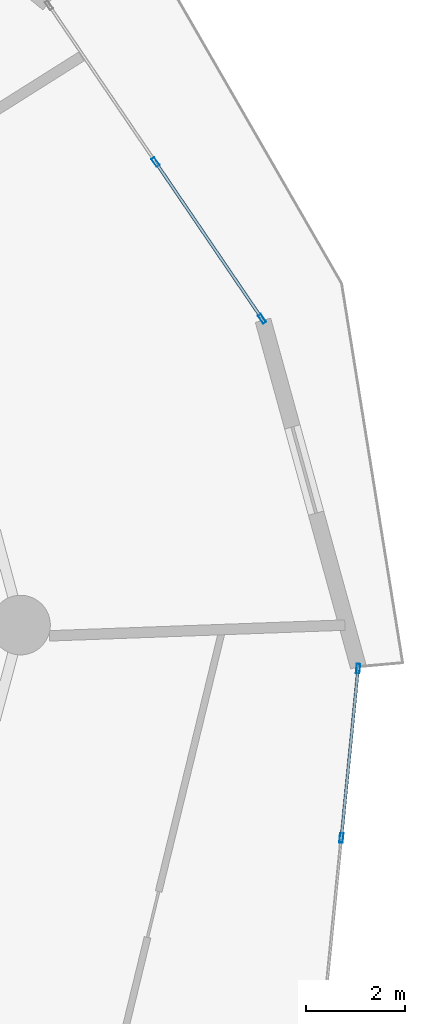
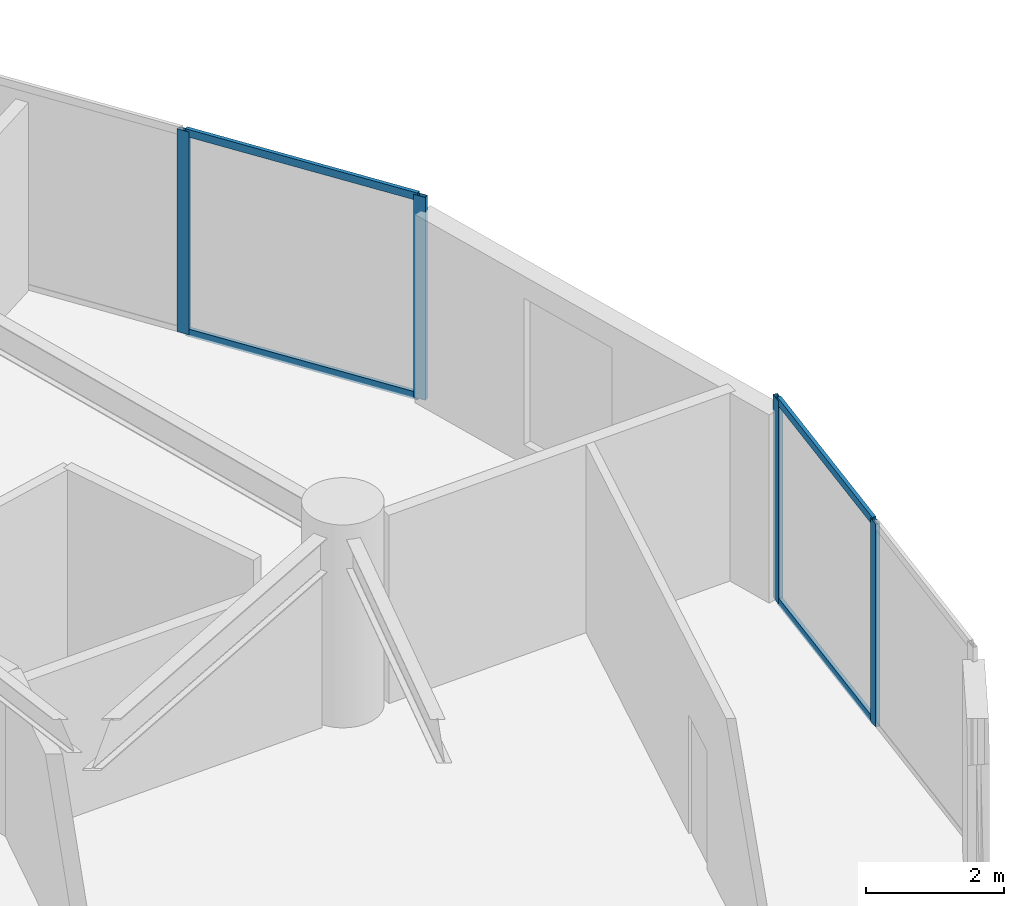
# One storey, part 13 of 26: 8 members, 2 elements without a shape of their own.
"""IFC4 building model written with IfcOpenShell, lengths in metres."""

from ifc_helpers import new_model, si_unit, direction, frame, origin, origin_2d, place, context, subcontext, project, spatial, hollow_rectangle, extrude, source, transform, mapped, material, layer, layer_set, material_profile, profile_set, type_object, element, aggregate, save


model = new_model("IFC4")

# Units and contexts
model_context = context("Model", 3, precision=1e-05, world=origin(), true_north=direction((0.0, 1.0)))
body_context = subcontext(model_context, "Body", "Model", "MODEL_VIEW")
ifc_project = project(units=[si_unit("LENGTHUNIT", "METRE"), si_unit("AREAUNIT", "SQUARE_METRE"), si_unit("VOLUMEUNIT", "CUBIC_METRE"), si_unit("PLANEANGLEUNIT", "RADIAN"), si_unit("MASSUNIT", "GRAM", prefix="KILO")], contexts=[model_context])

# Site, building, storey
site_placement = place(None, origin())
site = spatial("IfcSite", under=ifc_project, at=site_placement, CompositionType="ELEMENT")
building_placement = place(site_placement, origin())
building = spatial("IfcBuilding", under=site, at=building_placement, Name="Solvirekh Grand Hotel", CompositionType="ELEMENT")
storey_placement = place(building_placement, frame((0.0, 0.0, 64.39990234375)))
storey = spatial("IfcBuildingStorey", under=building, at=storey_placement, Name="L15", CompositionType="ELEMENT", Elevation=64.39990234375)

# Curtain wall, members
ifc_material = material(Name="Anodized Bronze Aluminium 6063-T6", Category="aluminium")
ifc_layer = layer(ifc_material, 0.18994140625)
ifc_layer_set = layer_set([ifc_layer], Name="Anodized Bronze Aluminium 6063-T6")
curtain_wall_type = type_object("IfcCurtainWallType", Name="CW_Sys2_LowZoneFlushBronzeCW", PredefinedType="NOTDEFINED", material=ifc_layer_set)
curtain_wall_1_placement = place(storey_placement, origin())
curtain_wall_1 = element("IfcCurtainWall", 1, at=curtain_wall_1_placement, inside=storey, type_object=curtain_wall_type, Name="L15 unitised bronze-glass curtain wall CW-L15-C01", PredefinedType="NOTDEFINED")
ifc_material_profile_1 = material_profile(ifc_material, hollow_rectangle(XDim=0.070068359375, YDim=0.18994140625, WallThickness=0.0048828125, at=origin_2d()), Name="ALU RHS 190X70X5")
ifc_profile_set_1 = profile_set([ifc_material_profile_1], Name="Anodized Bronze Aluminium 6063-T6")
member_type_1 = type_object("IfcMemberType", Name="CWMullion_Sys2", PredefinedType="MULLION", material=ifc_profile_set_1)
shared_shape_1 = source(origin(), body_context, "Body", "SweptSolid", [
    extrude(hollow_rectangle(XDim=0.070068359375, YDim=0.18994140625, WallThickness=0.0048828125, at=origin_2d()), origin(), (0.0, 0.0, 1.0), 3.60009765625),
])
member_1_placement = place(storey_placement, frame((25.0595703125, -4.285888671875, 0.0), z_axis=(0.0, 0.0, 1.0), x_axis=(-0.995153729271, 0.098331353685, 0.0)))
member_1 = element("IfcMember", 2, at=member_1_placement, type_object=member_type_1, Name="U02 mullion 2", PredefinedType="MULLION", context=body_context, shape_type="MappedRepresentation", body=[
    mapped(shared_shape_1, transform((0.0, 0.0, 0.0), x_axis=(1.0, 0.0, 0.0), y_axis=(0.0, 1.0, 0.0), z_axis=(0.0, 0.0, 1.0), scale=1.0)),
])
member_2_placement = place(storey_placement, frame((25.396484375, -0.874755859375, 0.0), z_axis=(0.0, 0.0, 1.0), x_axis=(-0.995153729271, 0.098331353685, 0.0)))
member_2 = element("IfcMember", 3, at=member_2_placement, type_object=member_type_1, Name="U02 mullion 3", PredefinedType="MULLION", context=body_context, shape_type="MappedRepresentation", body=[
    mapped(shared_shape_1, transform((0.0, 0.0, 0.0), x_axis=(1.0, 0.0, 0.0), y_axis=(0.0, 1.0, 0.0), z_axis=(0.0, 0.0, 1.0), scale=1.0)),
])

curtain_wall_2_placement = place(storey_placement, origin())
curtain_wall_2 = element("IfcCurtainWall", 4, at=curtain_wall_2_placement, inside=storey, type_object=curtain_wall_type, Name="L15 unitised bronze-glass curtain wall CW-L15-C03", PredefinedType="NOTDEFINED")
member_3_placement = place(storey_placement, frame((23.46240234375, 6.1640625, 0.0), z_axis=(0.0, 0.0, 1.0), x_axis=(-0.827146114873, -0.561986925694, 0.0)))
member_3 = element("IfcMember", 5, at=member_3_placement, type_object=member_type_1, Name="U02 mullion 1", PredefinedType="MULLION", context=body_context, shape_type="MappedRepresentation", body=[
    mapped(shared_shape_1, transform((0.0, 0.0, 0.0), x_axis=(1.0, 0.0, 0.0), y_axis=(0.0, 1.0, 0.0), z_axis=(0.0, 0.0, 1.0), scale=1.0)),
])
member_4_placement = place(storey_placement, frame((21.31689453125, 9.321533203125, 0.0), z_axis=(0.0, 0.0, 1.0), x_axis=(-0.827146114873, -0.561986925694, 0.0)))
member_4 = element("IfcMember", 6, at=member_4_placement, type_object=member_type_1, Name="U02 mullion 2", PredefinedType="MULLION", context=body_context, shape_type="MappedRepresentation", body=[
    mapped(shared_shape_1, transform((0.0, 0.0, 0.0), x_axis=(1.0, 0.0, 0.0), y_axis=(0.0, 1.0, 0.0), z_axis=(0.0, 0.0, 1.0), scale=1.0)),
])
ifc_material_profile_2 = material_profile(ifc_material, hollow_rectangle(XDim=0.06005859375, YDim=0.135009765625, WallThickness=0.00390625, at=origin_2d()), Name="ALU RHS 135X60X4")
ifc_profile_set_2 = profile_set([ifc_material_profile_2], Name="Anodized Bronze Aluminium 6063-T6")
member_type_2 = type_object("IfcMemberType", Name="CWTransom_Sys2", PredefinedType="USERDEFINED", material=ifc_profile_set_2)
shared_shape_2 = source(origin(), body_context, "Body", "SweptSolid", [
    extrude(hollow_rectangle(XDim=0.06005859375, YDim=0.135009765625, WallThickness=0.00390625, at=origin_2d()), origin(), (0.0, 0.0, 1.0), 3.747314453125),
])
member_5_placement = place(storey_placement, frame((23.442626953125, 6.19287109375, 0.030029296875), z_axis=(-0.561985652749, 0.827146979747, 0.0), x_axis=(-0.827146979747, -0.561985652749, 0.0)))
member_5 = element("IfcMember", 7, at=member_5_placement, type_object=member_type_2, Name="U02 transom 1.1", ObjectType="TRANSOM", PredefinedType="USERDEFINED", context=body_context, shape_type="MappedRepresentation", body=[
    mapped(shared_shape_2, transform((0.0, 0.0, 0.0), x_axis=(1.0, 0.0, 0.0), y_axis=(0.0, 1.0, 0.0), z_axis=(0.0, 0.0, 1.0), scale=1.0)),
])
member_6_placement = place(storey_placement, frame((23.442626953125, 6.19287109375, 3.570068359375), z_axis=(-0.561985652749, 0.827146979747, 0.0), x_axis=(-0.827146979747, -0.561985652749, 0.0)))
member_6 = element("IfcMember", 8, at=member_6_placement, type_object=member_type_2, Name="U02 transom 1.2", ObjectType="TRANSOM", PredefinedType="USERDEFINED", context=body_context, shape_type="MappedRepresentation", body=[
    mapped(shared_shape_2, transform((0.0, 0.0, 0.0), x_axis=(1.0, 0.0, 0.0), y_axis=(0.0, 1.0, 0.0), z_axis=(0.0, 0.0, 1.0), scale=1.0)),
])
aggregate(curtain_wall_2, [member_3, member_4, member_5, member_6])

# Member
shared_shape_3 = source(origin(), body_context, "Body", "SweptSolid", [
    extrude(hollow_rectangle(XDim=0.06005859375, YDim=0.135009765625, WallThickness=0.00390625, at=origin_2d()), origin(), (0.0, 0.0, 1.0), 3.35791015625),
])
member_7_placement = place(storey_placement, frame((25.06298828125, -4.251220703125, 0.030029296875), z_axis=(0.098301442047, 0.995156684393, 0.0), x_axis=(-0.995156684393, 0.098301442047, 0.0)))
member_7 = element("IfcMember", 9, at=member_7_placement, type_object=member_type_2, Name="U02 transom 2.1", ObjectType="TRANSOM", PredefinedType="USERDEFINED", context=body_context, shape_type="MappedRepresentation", body=[
    mapped(shared_shape_3, transform((0.0, 0.0, 0.0), x_axis=(1.0, 0.0, 0.0), y_axis=(0.0, 1.0, 0.0), z_axis=(0.0, 0.0, 1.0), scale=1.0)),
])

member_8_placement = place(storey_placement, frame((25.06298828125, -4.251220703125, 3.570068359375), z_axis=(0.098301442047, 0.995156684393, 0.0), x_axis=(-0.995156684393, 0.098301442047, 0.0)))
member_8 = element("IfcMember", 10, at=member_8_placement, type_object=member_type_2, Name="U02 transom 2.2", ObjectType="TRANSOM", PredefinedType="USERDEFINED", context=body_context, shape_type="MappedRepresentation", body=[
    mapped(shared_shape_3, transform((0.0, 0.0, 0.0), x_axis=(1.0, 0.0, 0.0), y_axis=(0.0, 1.0, 0.0), z_axis=(0.0, 0.0, 1.0), scale=1.0)),
])

aggregate(curtain_wall_1, [member_1, member_2, member_7, member_8])

save(model, "model.ifc")
